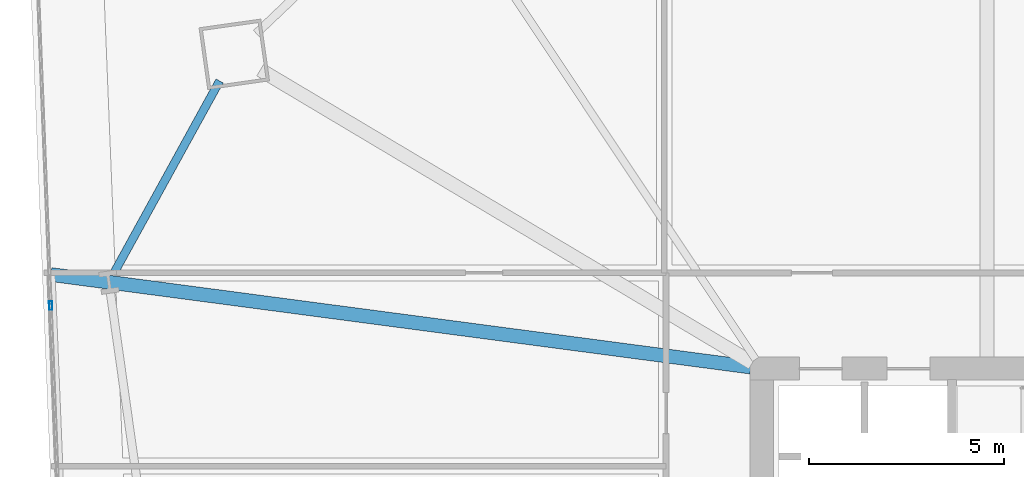
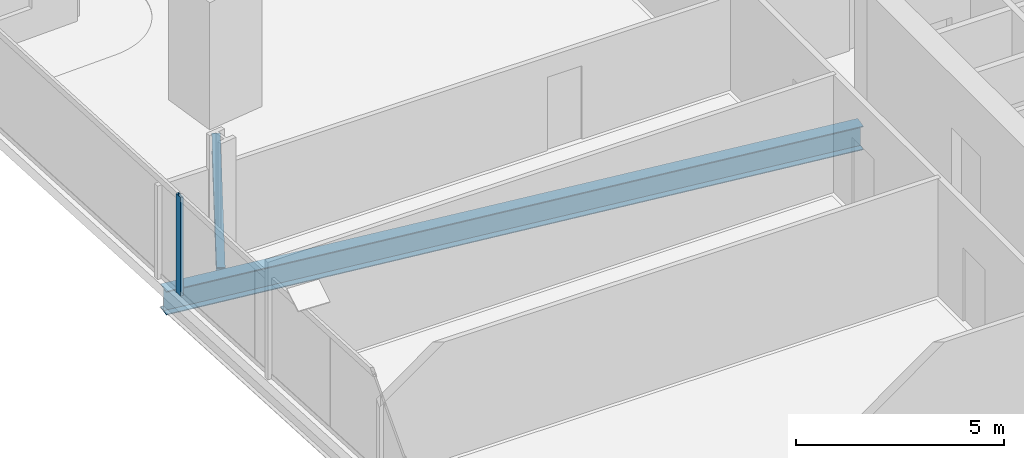
# One storey, part 14 of 32: 2 beams, 1 member, 1 element without a shape of its own.
"""IFC4 building model written with IfcOpenShell, lengths in metres."""

from ifc_helpers import new_model, si_unit, direction, frame, origin, origin_2d, place, context, subcontext, project, spatial, hollow_rectangle, i_section, extrude, material, material_profile, profile_set, type_object, element, aggregate, save


model = new_model("IFC4")

# Units and contexts
model_context = context("Model", 3, precision=1e-05, world=origin(), true_north=direction((0.0, 1.0)))
body_context = subcontext(model_context, "Body", "Model", "MODEL_VIEW")
ifc_project = project(units=[si_unit("LENGTHUNIT", "METRE"), si_unit("AREAUNIT", "SQUARE_METRE"), si_unit("VOLUMEUNIT", "CUBIC_METRE"), si_unit("PLANEANGLEUNIT", "RADIAN"), si_unit("MASSUNIT", "GRAM", prefix="KILO")], contexts=[model_context])

# Site, building, storey
site_placement = place(None, origin())
site = spatial("IfcSite", under=ifc_project, at=site_placement, CompositionType="ELEMENT")
building_placement = place(site_placement, origin())
building = spatial("IfcBuilding", under=site, at=building_placement, Name="Haldenkirk Collegiate Tower", CompositionType="ELEMENT")
storey_placement = place(building_placement, frame((0.0, 0.0, 36.449951171875)))
storey = spatial("IfcBuildingStorey", under=building, at=storey_placement, Name="L07", CompositionType="ELEMENT", Elevation=36.449951171875)

# Beams
ifc_material_1 = material(Name="Steel ASTM A992 Grade 50", Category="steel")
ifc_material_profile_1 = material_profile(ifc_material_1, i_section(OverallWidth=0.35498046875, OverallDepth=0.696044921875, WebThickness=0.015380859375, FlangeThickness=0.02490234375, at=origin_2d()), Name="W27X146")
ifc_profile_set_1 = profile_set([ifc_material_profile_1], Name="Steel ASTM A992 Grade 50")
beam_type_1 = type_object("IfcBeamType", Name="BM-GIRDER-W27X146", PredefinedType="BEAM", material=ifc_profile_set_1)
beam_1_placement = place(storey_placement, frame((8.7802734375, 36.409423828125, -0.657958984375), z_axis=(0.991368359272, -0.1311059733, 0.0), x_axis=(0.1311059733, 0.991368359272, 0.0)))
element("IfcBeam", 1, at=beam_1_placement, inside=storey, type_object=beam_type_1, Name="L07 primary floor girder 14", PredefinedType="BEAM", context=body_context, shape_type="SweptSolid", body=[
    extrude(i_section(OverallWidth=0.35498046875, OverallDepth=0.696044921875, WebThickness=0.015380859375, FlangeThickness=0.02490234375, at=origin_2d()), origin(), (0.0, 0.0, 1.0), 18.098388671875),
])
ifc_material_profile_2 = material_profile(ifc_material_1, i_section(OverallWidth=0.2119140625, OverallDepth=0.5439453125, WebThickness=0.01318359375, FlangeThickness=0.021240234375, at=origin_2d()), Name="W21X83")
ifc_profile_set_2 = profile_set([ifc_material_profile_2], Name="Steel ASTM A992 Grade 50")
beam_type_2 = type_object("IfcBeamType", Name="BM-SPANDREL-W21X83", PredefinedType="SPANDREL", material=ifc_profile_set_2)
beam_2_placement = place(storey_placement, frame((13.10400390625, 41.37109375, -0.58203125), z_axis=(-0.482003753736, -0.876169151126, 0.0), x_axis=(0.876169151126, -0.482003753736, 0.0)))
element("IfcBeam", 2, at=beam_2_placement, inside=storey, type_object=beam_type_2, Name="L07 perimeter spandrel beam 13", PredefinedType="SPANDREL", context=body_context, shape_type="SweptSolid", body=[
    extrude(i_section(OverallWidth=0.2119140625, OverallDepth=0.5439453125, WebThickness=0.01318359375, FlangeThickness=0.021240234375, at=origin_2d()), origin(), (0.0, 0.0, 1.0), 5.622802734375),
])

# Curtain wall, member
ifc_material_2 = material(Name="Anodised architectural bronze aluminium", Category="aluminium")
curtain_wall_type = type_object("IfcCurtainWallType", Name="CW-SYS1-CONVEX-LOW", PredefinedType="USERDEFINED", material=ifc_material_2)
curtain_wall_placement = place(storey_placement, origin())
curtain_wall = element("IfcCurtainWall", 3, at=curtain_wall_placement, inside=storey, type_object=curtain_wall_type, Name="L07 Lower tower convex bronze-framed unitised curtain wall", ObjectType="UNITISED CURTAIN WALL", PredefinedType="USERDEFINED")
ifc_material_profile_3 = material_profile(ifc_material_2, hollow_rectangle(XDim=0.080078125, YDim=0.219970703125, WallThickness=0.0048828125, at=origin_2d()), Name="CW-MUL-1A")
ifc_profile_set_3 = profile_set([ifc_material_profile_3], Name="Anodised architectural bronze aluminium")
member_type = type_object("IfcMemberType", Name="CW-MUL-1A", PredefinedType="MULLION", material=ifc_profile_set_3)
member_placement = place(storey_placement, frame((8.772216796875, 35.614990234375, 0.0), z_axis=(0.0, 0.0, 1.0), x_axis=(-0.999194371406, -0.040132382816, 0.0)))
member = element("IfcMember", 4, at=member_placement, type_object=member_type, Name="CW-1A mullion 4", PredefinedType="MULLION", context=body_context, shape_type="SweptSolid", body=[
    extrude(hollow_rectangle(XDim=0.080078125, YDim=0.219970703125, WallThickness=0.0048828125, at=origin_2d()), origin(), (0.0, 0.0, 1.0), 2.89111328125),
])
aggregate(curtain_wall, [member])

save(model, "model.ifc")
